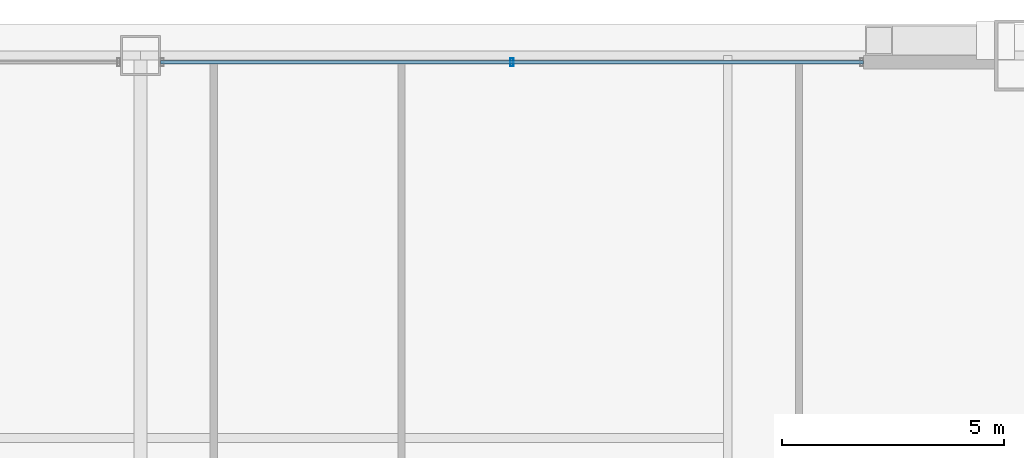
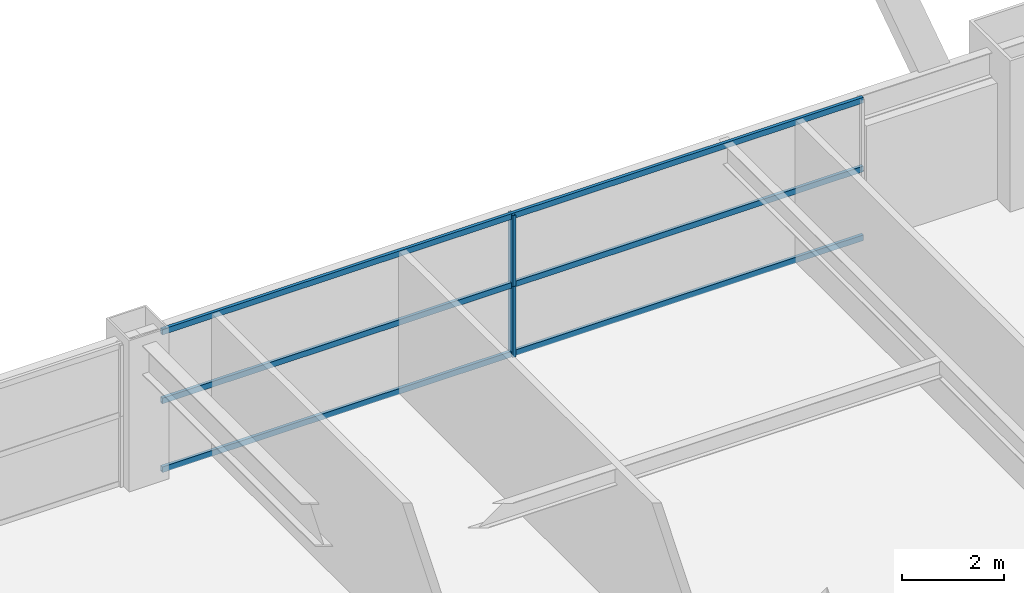
# One storey, part 34 of 42: 5 members, 1 element without a shape of its own.
"""IFC4 building model written with IfcOpenShell, lengths in metres."""

from ifc_helpers import new_model, si_unit, direction, frame, origin, origin_2d, place, context, subcontext, project, spatial, hollow_rectangle, extrude, source, transform, mapped, material, layer, layer_set, material_profile, profile_set, type_object, element, aggregate, save


model = new_model("IFC4")

# Units and contexts
model_context = context("Model", 3, precision=1e-05, world=origin(), true_north=direction((0.0, 1.0)))
body_context = subcontext(model_context, "Body", "Model", "MODEL_VIEW")
ifc_project = project(units=[si_unit("LENGTHUNIT", "METRE"), si_unit("AREAUNIT", "SQUARE_METRE"), si_unit("VOLUMEUNIT", "CUBIC_METRE"), si_unit("PLANEANGLEUNIT", "RADIAN"), si_unit("MASSUNIT", "GRAM", prefix="KILO"), si_unit("THERMODYNAMICTEMPERATUREUNIT", "KELVIN"), si_unit("POWERUNIT", "WATT")], contexts=[model_context])

# Site, building, storey
site_placement = place(None, origin())
site = spatial("IfcSite", under=ifc_project, at=site_placement, CompositionType="ELEMENT")
building_placement = place(site_placement, origin())
building = spatial("IfcBuilding", under=site, at=building_placement, Name="Yuzanri Waterfront Tower", CompositionType="ELEMENT")
storey_placement = place(building_placement, frame((0.0, 0.0, 145.199951171875)))
storey = spatial("IfcBuildingStorey", under=building, at=storey_placement, Name="L38", CompositionType="ELEMENT", Elevation=145.199951171875)

# Curtain wall, members
ifc_material_1 = material(Name="Anodized Architectural Bronze", Category="metal")
ifc_layer = layer(ifc_material_1, 0.159912109375)
ifc_layer_set = layer_set([ifc_layer], Name="Anodized Architectural Bronze")
curtain_wall_type = type_object("IfcCurtainWallType", Name="Anodized Bronze Hotel Upper-Tier Solar-Control Unitized Curtain Wall 7800", PredefinedType="NOTDEFINED", material=ifc_layer_set)
curtain_wall_placement = place(storey_placement, origin())
curtain_wall = element("IfcCurtainWall", 1, at=curtain_wall_placement, inside=storey, type_object=curtain_wall_type, Name="L38 Curtain Wall CW-L38-NR", PredefinedType="NOTDEFINED")
ifc_material_2 = material(Name="Anodized Architectural Bronze", Category="metal")
ifc_material_profile_1 = material_profile(ifc_material_2, hollow_rectangle(XDim=0.070068359375, YDim=0.179931640625, WallThickness=0.00390625, at=origin_2d()), Name="CWM 70x180")
ifc_profile_set_1 = profile_set([ifc_material_profile_1], Name="Anodized Architectural Bronze")
member_type_1 = type_object("IfcMemberType", Name="Anodized Bronze Standard Curtain-Wall Mullion 70x180", PredefinedType="MULLION", material=ifc_profile_set_1)
shared_shape_1 = source(origin(), body_context, "Body", "SweptSolid", [
    extrude(hollow_rectangle(XDim=0.070068359375, YDim=0.179931640625, WallThickness=0.00390625, at=origin_2d()), origin(), (0.0, 0.0, 1.0), 1.68798828125),
])
member_1_placement = place(storey_placement, frame((45.35009765625, 49.25, 0.0), z_axis=(0.0, 0.0, 1.0), x_axis=(1.0, 0.0, 0.0)))
member_1 = element("IfcMember", 2, at=member_1_placement, type_object=member_type_1, Name="CW-L38-NR Lower Mullion 01", PredefinedType="MULLION", context=body_context, shape_type="MappedRepresentation", body=[
    mapped(shared_shape_1, transform((0.0, 0.0, 0.0), scale=1.0)),
])
member_2_placement = place(storey_placement, frame((45.35009765625, 49.25, 1.692138671875), z_axis=(0.0, 0.0, 1.0), x_axis=(1.0, 0.0, 0.0)))
member_2 = element("IfcMember", 3, at=member_2_placement, type_object=member_type_1, Name="CW-L38-NR Upper Mullion 01", PredefinedType="MULLION", context=body_context, shape_type="MappedRepresentation", body=[
    mapped(shared_shape_1, transform((0.0, 0.0, 0.0), scale=1.0)),
])
ifc_material_3 = material(Name="Anodized Architectural Bronze", Category="metal")
ifc_material_profile_2 = material_profile(ifc_material_3, hollow_rectangle(XDim=0.070068359375, YDim=0.135009765625, WallThickness=0.00341796875, at=origin_2d()), Name="CWT 70x135")
ifc_profile_set_2 = profile_set([ifc_material_profile_2], Name="Anodized Architectural Bronze")
member_type_2 = type_object("IfcMemberType", Name="Anodized Bronze Standard Curtain-Wall Transom 70x135", PredefinedType="USERDEFINED", material=ifc_profile_set_2)
shared_shape_2 = source(origin(), body_context, "Body", "SweptSolid", [
    extrude(hollow_rectangle(XDim=0.070068359375, YDim=0.135009765625, WallThickness=0.00341796875, at=origin_2d()), origin(), (0.0, 0.0, 1.0), 15.800048828125),
])
member_3_placement = place(storey_placement, frame((37.449951171875, 49.25, 0.050048828125), z_axis=(1.0, 0.0, 0.0), x_axis=(0.0, 1.0, 0.0)))
member_3 = element("IfcMember", 4, at=member_3_placement, type_object=member_type_2, Name="CW-L38-NR Transom 1", ObjectType="TRANSOM", PredefinedType="USERDEFINED", context=body_context, shape_type="MappedRepresentation", body=[
    mapped(shared_shape_2, transform((0.0, 0.0, 0.0), scale=1.0)),
])
member_4_placement = place(storey_placement, frame((37.449951171875, 49.25, 1.68994140625), z_axis=(1.0, 0.0, 0.0), x_axis=(0.0, 1.0, 0.0)))
member_4 = element("IfcMember", 5, at=member_4_placement, type_object=member_type_2, Name="CW-L38-NR Transom 2", ObjectType="TRANSOM", PredefinedType="USERDEFINED", context=body_context, shape_type="MappedRepresentation", body=[
    mapped(shared_shape_2, transform((0.0, 0.0, 0.0), scale=1.0)),
])
member_5_placement = place(storey_placement, frame((37.449951171875, 49.25, 3.330078125), z_axis=(1.0, 0.0, 0.0), x_axis=(0.0, 1.0, 0.0)))
member_5 = element("IfcMember", 6, at=member_5_placement, type_object=member_type_2, Name="CW-L38-NR Transom 3", ObjectType="TRANSOM", PredefinedType="USERDEFINED", context=body_context, shape_type="MappedRepresentation", body=[
    mapped(shared_shape_2, transform((0.0, 0.0, 0.0), scale=1.0)),
])
aggregate(curtain_wall, [member_1, member_2, member_3, member_4, member_5])

save(model, "model.ifc")
